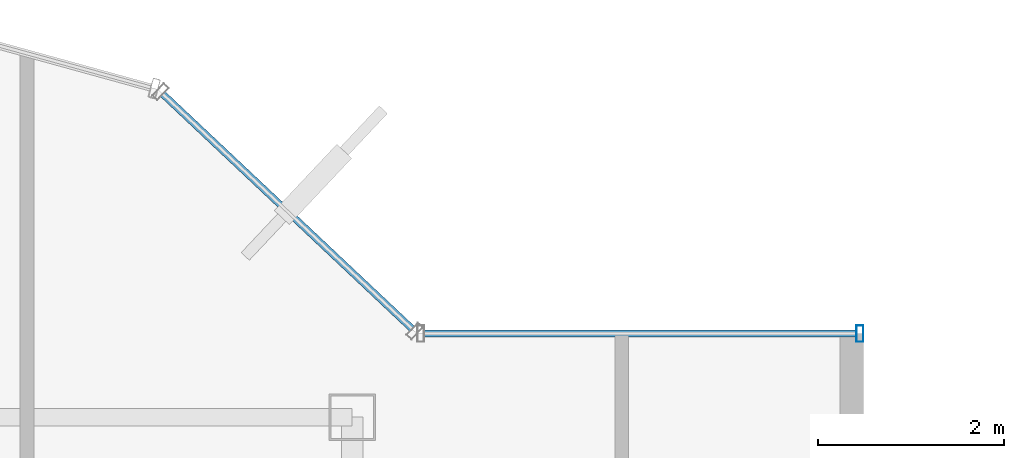
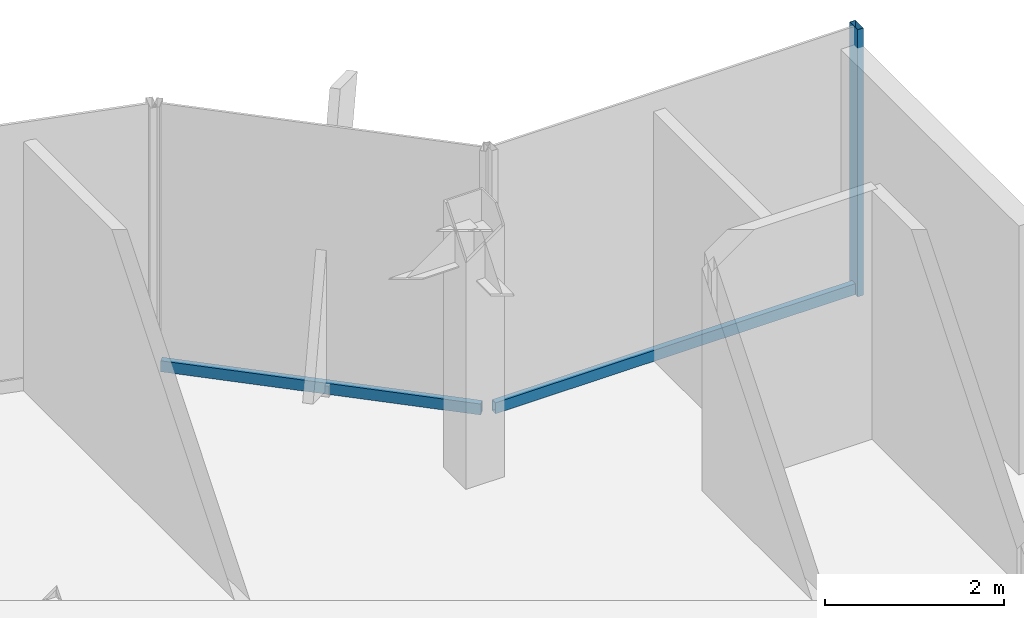
# One storey, part 15 of 22: 3 members, 2 elements without a shape of their own.
"""IFC4 building model written with IfcOpenShell, lengths in metres."""

from ifc_helpers import new_model, si_unit, derived_unit, direction, frame, origin, origin_2d, place, context, subcontext, project, spatial, hollow_rectangle, extrude, source, transform, mapped, material, material_profile, profile_set, type_object, element, aggregate, save


model = new_model("IFC4")

# Units and contexts
model_context = context("Model", 3, precision=1e-05, world=origin(), true_north=direction((0.0, 1.0)))
body_context = subcontext(model_context, "Body", "Model", "MODEL_VIEW")
ifc_project = project(units=[si_unit("LENGTHUNIT", "METRE"), si_unit("AREAUNIT", "SQUARE_METRE"), si_unit("VOLUMEUNIT", "CUBIC_METRE"), si_unit("PLANEANGLEUNIT", "RADIAN"), si_unit("MASSUNIT", "GRAM", prefix="KILO"), derived_unit("THERMALTRANSMITTANCEUNIT", [(si_unit("POWERUNIT", "WATT"), 1), (si_unit("LENGTHUNIT", "METRE"), -2), (si_unit("THERMODYNAMICTEMPERATUREUNIT", "KELVIN"), -1)])], contexts=[model_context])

# Site, building, storey
site_placement = place(None, origin())
site = spatial("IfcSite", under=ifc_project, at=site_placement, CompositionType="ELEMENT")
building_placement = place(site_placement, origin())
building = spatial("IfcBuilding", under=site, at=building_placement, Name="Skarnbrae Concourse Arena and Tower", CompositionType="ELEMENT")
storey_placement = place(building_placement, frame((0.0, 0.0, 251.5)))
storey = spatial("IfcBuildingStorey", under=building, at=storey_placement, Name="L65", CompositionType="ELEMENT", Elevation=251.5)

# Curtain wall, members
ifc_material = material(Name="Bronze anodised aluminium 6063-T6", Category="aluminium")
curtain_wall_type = type_object("IfcCurtainWallType", Name="CW-SYS-05-HIGHZONE", PredefinedType="USERDEFINED", material=ifc_material)
curtain_wall_1_placement = place(storey_placement, origin())
curtain_wall_1 = element("IfcCurtainWall", 1, at=curtain_wall_1_placement, inside=storey, type_object=curtain_wall_type, Name="L65 Unitised curtain wall CW-L65-E07", ObjectType="UNITISED CURTAIN WALL", PredefinedType="USERDEFINED")
ifc_material_profile_1 = material_profile(ifc_material, hollow_rectangle(XDim=0.074951171875, YDim=0.179931640625, WallThickness=0.00390625, at=origin_2d()), Name="ALU-MULL-75X180")
ifc_profile_set_1 = profile_set([ifc_material_profile_1], Name="Bronze anodised aluminium 6063-T6")
member_type_1 = type_object("IfcMemberType", Name="CWM-CW-05", PredefinedType="MULLION", material=ifc_profile_set_1)
shared_shape_1 = source(origin(), body_context, "Body", "SweptSolid", [
    extrude(hollow_rectangle(XDim=0.074951171875, YDim=0.179931640625, WallThickness=0.00390625, at=origin_2d()), origin(), (0.0, 0.0, 1.0), 3.64990234375),
])
member_1_placement = place(storey_placement, frame((38.96240234375, 35.300048828125, 0.0), z_axis=(0.0, 0.0, 1.0), x_axis=(-1.0, 0.0, 0.0)))
member_1 = element("IfcMember", 2, at=member_1_placement, type_object=member_type_1, Name="CW-L65-E07 Mullion 1", PredefinedType="MULLION", context=body_context, shape_type="MappedRepresentation", body=[
    mapped(shared_shape_1, transform((0.0, 0.0, 0.0))),
])
ifc_material_profile_2 = material_profile(ifc_material, hollow_rectangle(XDim=0.074951171875, YDim=0.14990234375, WallThickness=0.00390625, at=origin_2d()), Name="ALU-TRAN-75X150")
ifc_profile_set_2 = profile_set([ifc_material_profile_2], Name="Bronze anodised aluminium 6063-T6")
member_type_2 = type_object("IfcMemberType", Name="CWT-CW-05", PredefinedType="USERDEFINED", material=ifc_profile_set_2)
shared_shape_2 = source(origin(), body_context, "Body", "SweptSolid", [
    extrude(hollow_rectangle(XDim=0.074951171875, YDim=0.14990234375, WallThickness=0.00390625, at=origin_2d()), origin(), (0.0, 0.0, 1.0), 4.650146484375),
])
member_2_placement = place(storey_placement, frame((38.925048828125, 35.300048828125, 0.074951171875), z_axis=(-1.0, 0.0, 0.0), x_axis=(0.0, -1.0, 0.0)))
member_2 = element("IfcMember", 3, at=member_2_placement, type_object=member_type_2, Name="CW-L65-E07 Transom 1", ObjectType="TRANSOM", PredefinedType="USERDEFINED", context=body_context, shape_type="MappedRepresentation", body=[
    mapped(shared_shape_2, transform((0.0, 0.0, 0.0))),
])
aggregate(curtain_wall_1, [member_1, member_2])

# Curtain wall, member
curtain_wall_2_placement = place(storey_placement, origin())
curtain_wall_2 = element("IfcCurtainWall", 4, at=curtain_wall_2_placement, inside=storey, type_object=curtain_wall_type, Name="L65 Unitised curtain wall CW-L65-E08", ObjectType="UNITISED CURTAIN WALL", PredefinedType="USERDEFINED")
shared_shape_3 = source(origin(), body_context, "Body", "SweptSolid", [
    extrude(hollow_rectangle(XDim=0.074951171875, YDim=0.14990234375, WallThickness=0.00390625, at=origin_2d()), origin(), (0.0, 0.0, 1.0), 3.68212890625),
])
member_3_placement = place(storey_placement, frame((34.1455078125, 35.351318359375, 0.074951171875), z_axis=(-0.728133808476, 0.685435012933, 0.0), x_axis=(-0.685435012933, -0.728133808476, 0.0)))
member_3 = element("IfcMember", 5, at=member_3_placement, type_object=member_type_2, Name="CW-L65-E08 Transom 1", ObjectType="TRANSOM", PredefinedType="USERDEFINED", context=body_context, shape_type="MappedRepresentation", body=[
    mapped(shared_shape_3, transform((0.0, 0.0, 0.0))),
])
aggregate(curtain_wall_2, [member_3])

save(model, "model.ifc")
